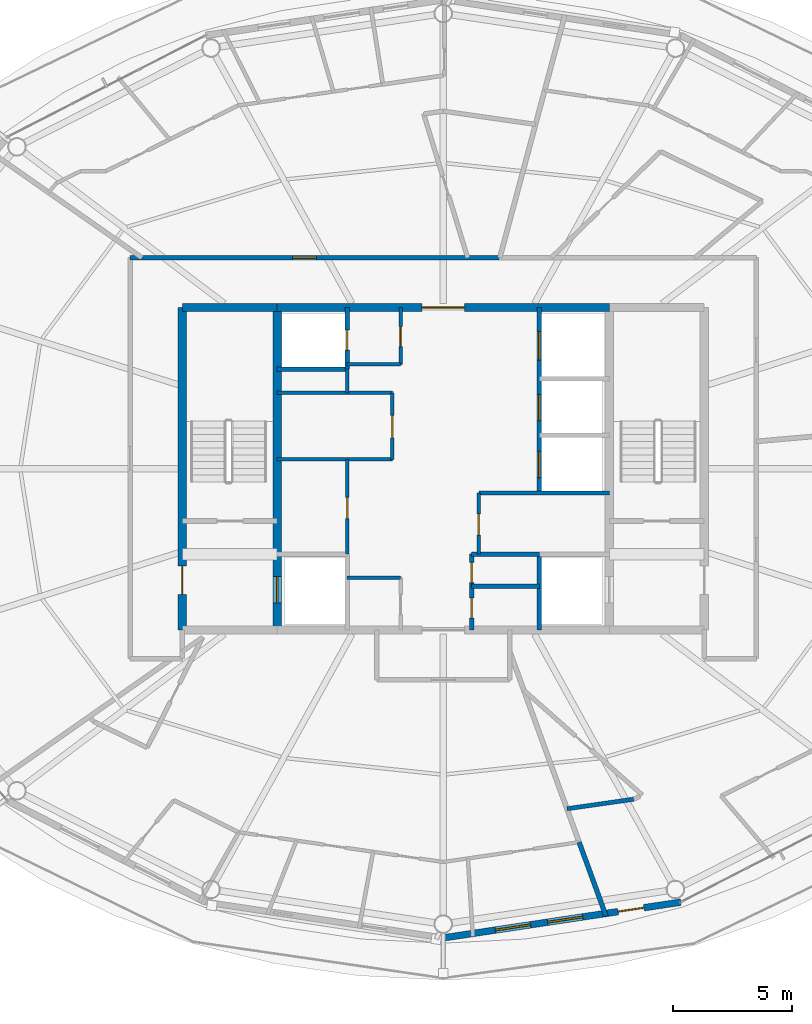
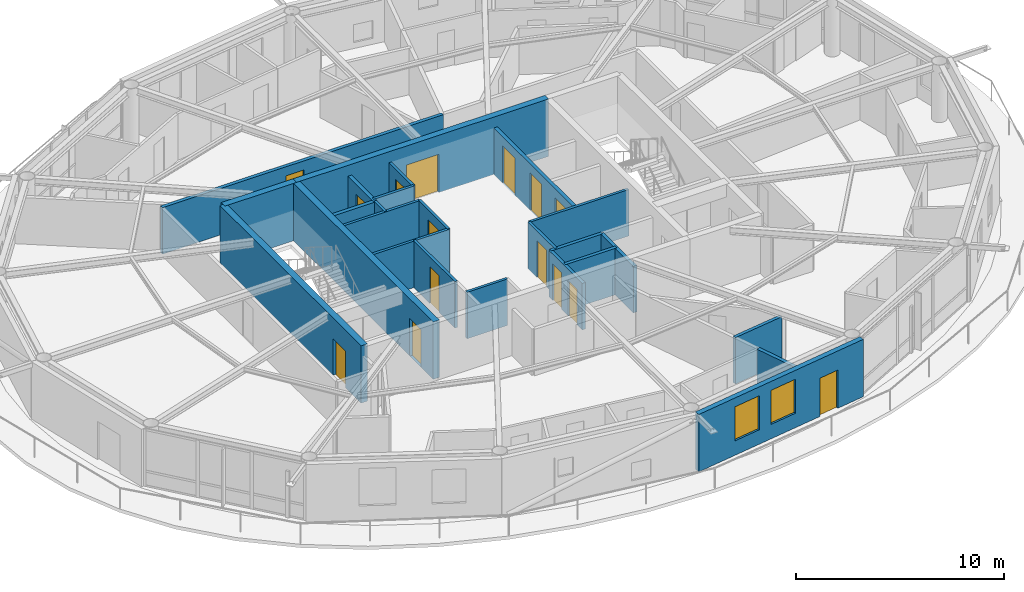
# One storey, part 17 of 23: 25 walls, 15 doors, 2 windows, 17 openings.
"""IFC4 building model written with IfcOpenShell, lengths in metres."""

from ifc_helpers import new_model, si_unit, direction, frame, frame_2d, origin, place, context, subcontext, project, spatial, rectangle, extrude, material, layer, layer_set, type_object, element, fill, save


model = new_model("IFC4")

# Units and contexts
model_context = context("Model", 3, precision=1e-05, world=origin(), true_north=direction((0.0, 1.0)))
body_context = subcontext(model_context, "Body", "Model", "MODEL_VIEW")
ifc_project = project(units=[si_unit("LENGTHUNIT", "METRE"), si_unit("AREAUNIT", "SQUARE_METRE"), si_unit("VOLUMEUNIT", "CUBIC_METRE"), si_unit("PLANEANGLEUNIT", "RADIAN"), si_unit("MASSUNIT", "GRAM", prefix="KILO")], contexts=[model_context])

# Site, building, storey
site_placement = place(None, origin())
site = spatial("IfcSite", under=ifc_project, at=site_placement, CompositionType="ELEMENT")
building_placement = place(site_placement, origin())
building = spatial("IfcBuilding", under=site, at=building_placement, Name="Sarneth Arch Tower", CompositionType="ELEMENT")
storey_placement = place(building_placement, frame((0.0, 0.0, 273.0)))
storey = spatial("IfcBuildingStorey", under=building, at=storey_placement, Name="L70", CompositionType="ELEMENT", Elevation=273.0)

# Wall
ifc_material_1 = material(Name="Concrete C50/60", Category="concrete")
ifc_layer_1 = layer(ifc_material_1, 0.35009765625)
ifc_layer_set_1 = layer_set([ifc_layer_1], Name="Concrete C50/60")
wall_type_1 = type_object("IfcWallType", Name="WALL-CORE-350", PredefinedType="SHEAR", material=ifc_layer_set_1)
wall_1_placement = place(storey_placement, frame((37.0, 48.800048828125, 0.0), z_axis=(0.0, 0.0, 1.0), x_axis=(1.0, 0.0, 0.0)))
element("IfcWall", 1, at=wall_1_placement, inside=storey, type_object=wall_type_1, Name="L70 Core shear wall N-W", PredefinedType="SHEAR", context=body_context, shape_type="SweptSolid", body=[
    extrude(rectangle(XDim=4.0, YDim=0.35009765625, at=frame_2d((2.0, 0.0))), origin(), (0.0, 0.0, 1.0), 3.3701171875),
])

# Wall, opening, door
wall_2_placement = place(storey_placement, frame((41.0, 48.800048828125, 0.0), z_axis=(0.0, 0.0, 1.0), x_axis=(1.0, 0.0, 0.0)))
wall_2 = element("IfcWall", 2, at=wall_2_placement, inside=storey, type_object=wall_type_1, Name="L70 Core shear wall N-M", PredefinedType="SHEAR", context=body_context, shape_type="SweptSolid", body=[
    extrude(rectangle(XDim=14.0, YDim=0.35009765625, at=frame_2d((7.0, 0.0))), origin(), (0.0, 0.0, 1.0), 3.3701171875),
])
opening_1_placement = place(wall_2_placement, frame((6.10009765625, 0.0, 0.0)))
opening_1 = element("IfcOpeningElement", 3, at=opening_1_placement, cuts=wall_2, Name="Opening FD-01", PredefinedType="OPENING", context=body_context, shape_type="SweptSolid", body=[
    extrude(rectangle(XDim=1.800048828125, YDim=2.25, at=frame_2d((0.89990234375, 1.125))), frame((0.0, 0.18505859375, 0.0), z_axis=(0.0, -1.0, 0.0), x_axis=(1.0, 0.0, 0.0)), (0.0, 0.0, 1.0), 0.3701171875),
])
ifc_material_2 = material(Name="Galvanised Steel S275 fire door set", Category="steel")
door_type_1 = type_object("IfcDoorType", Name="DR-FD90-1800", OperationType="DOUBLE_DOOR_SINGLE_SWING", PredefinedType="DOOR", material=ifc_material_2)
door_1_placement = place(opening_1_placement, origin())
door_1 = element("IfcDoor", 4, at=door_1_placement, inside=storey, type_object=door_type_1, Name="L70 Central lift lobby north door", OperationType="DOUBLE_DOOR_SINGLE_SWING", OverallHeight=2.25, OverallWidth=1.800048828125, PredefinedType="DOOR", context=body_context, shape_type="SweptSolid", body=[
    extrude(rectangle(XDim=1.800048828125, YDim=2.25, at=frame_2d((0.89990234375, 1.125))), frame((0.0, 0.02490234375, 0.0), z_axis=(0.0, -1.0, 0.0), x_axis=(1.0, 0.0, 0.0)), (0.0, 0.0, 1.0), 0.050048828125),
])
fill(opening_1, door_1)

wall_3_placement = place(storey_placement, frame((37.0, 35.199951171875, 0.0), z_axis=(0.0, 0.0, 1.0), x_axis=(0.0, 1.0, 0.0)))
wall_3 = element("IfcWall", 5, at=wall_3_placement, inside=storey, type_object=wall_type_1, Name="L70 Core shear wall W", PredefinedType="SHEAR", context=body_context, shape_type="SweptSolid", body=[
    extrude(rectangle(XDim=13.60009765625, YDim=0.35009765625, at=frame_2d((6.800048828125, 0.0))), origin(), (0.0, 0.0, 1.0), 3.3701171875),
])
opening_2_placement = place(wall_3_placement, frame((1.5, 0.0, 0.0)))
opening_2 = element("IfcOpeningElement", 6, at=opening_2_placement, cuts=wall_3, Name="Opening FD-02", PredefinedType="OPENING", context=body_context, shape_type="SweptSolid", body=[
    extrude(rectangle(XDim=1.199951171875, YDim=2.14990234375, at=frame_2d((0.60009765625, 1.074951171875))), frame((0.0, 0.18505859375, 0.0), z_axis=(0.0, -1.0, 0.0), x_axis=(1.0, 0.0, 0.0)), (0.0, 0.0, 1.0), 0.3701171875),
])
ifc_material_3 = material(Name="Galvanised Steel S275 fire door set", Category="steel")
door_type_2 = type_object("IfcDoorType", Name="DR-FD90-1200", OperationType="SINGLE_SWING_LEFT", PredefinedType="DOOR", material=ifc_material_3)
door_2_placement = place(opening_2_placement, origin())
door_2 = element("IfcDoor", 7, at=door_2_placement, inside=storey, type_object=door_type_2, Name="L70 Firefighting lobby 1 exit door", OperationType="SINGLE_SWING_LEFT", OverallHeight=2.14990234375, OverallWidth=1.199951171875, PredefinedType="DOOR", context=body_context, shape_type="SweptSolid", body=[
    extrude(rectangle(XDim=1.199951171875, YDim=2.14990234375, at=frame_2d((0.60009765625, 1.074951171875))), frame((0.0, 0.02490234375, 0.0), z_axis=(0.0, -1.0, 0.0), x_axis=(1.0, 0.0, 0.0)), (0.0, 0.0, 1.0), 0.050048828125),
])
fill(opening_2, door_2)

wall_4_placement = place(storey_placement, frame((41.0, 35.199951171875, 0.0), z_axis=(0.0, 0.0, 1.0), x_axis=(0.0, 1.0, 0.0)))
wall_4 = element("IfcWall", 8, at=wall_4_placement, inside=storey, type_object=wall_type_1, Name="L70 Core shear wall WEB-W", PredefinedType="SHEAR", context=body_context, shape_type="SweptSolid", body=[
    extrude(rectangle(XDim=13.60009765625, YDim=0.35009765625, at=frame_2d((6.800048828125, 0.0))), origin(), (0.0, 0.0, 1.0), 3.3701171875),
])
opening_3_placement = place(wall_4_placement, frame((1.14990234375, 0.0, 0.0)))
opening_3 = element("IfcOpeningElement", 9, at=opening_3_placement, cuts=wall_4, Name="Opening LD-1", PredefinedType="OPENING", context=body_context, shape_type="SweptSolid", body=[
    extrude(rectangle(XDim=1.10009765625, YDim=2.199951171875, at=frame_2d((0.550048828125, 1.10009765625))), frame((0.0, 0.18505859375, 0.0), z_axis=(0.0, -1.0, 0.0), x_axis=(1.0, 0.0, 0.0)), (0.0, 0.0, 1.0), 0.3701171875),
])
ifc_material_4 = material(Name="Brushed Stainless Steel 304 lift landing door", Category="steel")
door_type_3 = type_object("IfcDoorType", Name="DR-LIFT-SLIDE-1100", OperationType="SLIDING_TO_LEFT", PredefinedType="DOOR", material=ifc_material_4)
door_3_placement = place(opening_3_placement, origin())
door_3 = element("IfcDoor", 10, at=door_3_placement, inside=storey, type_object=door_type_3, Name="L70 Firefighting lift landing door FL-1", OperationType="SLIDING_TO_LEFT", OverallHeight=2.199951171875, OverallWidth=1.10009765625, PredefinedType="DOOR", context=body_context, shape_type="SweptSolid", body=[
    extrude(rectangle(XDim=1.10009765625, YDim=2.199951171875, at=frame_2d((0.550048828125, 1.10009765625))), frame((0.0, 0.02490234375, 0.0), z_axis=(0.0, -1.0, 0.0), x_axis=(1.0, 0.0, 0.0)), (0.0, 0.0, 1.0), 0.050048828125),
])
fill(opening_3, door_3)

ifc_material_5 = material(Name="Double steel-stud corridor fire wall", Category="steel")
ifc_layer_2 = layer(ifc_material_5, 0.18994140625)
ifc_layer_set_2 = layer_set([ifc_layer_2], Name="Double steel-stud corridor fire wall")
wall_type_2 = type_object("IfcWallType", Name="WALL-CORR-190", PredefinedType="PARTITIONING", material=ifc_layer_set_2)
wall_5_placement = place(storey_placement, frame((34.800048828125, 50.89990234375, 0.0), z_axis=(0.0, 0.0, 1.0), x_axis=(1.0, 0.0, 0.0)))
wall_5 = element("IfcWall", 11, at=wall_5_placement, inside=storey, type_object=wall_type_2, Name="L70 Interior partition W-L70-TP-005", PredefinedType="PARTITIONING", context=body_context, shape_type="SweptSolid", body=[
    extrude(rectangle(XDim=15.61767578125, YDim=0.18994140625, at=frame_2d((7.808837890625, 0.0))), origin(), (0.0, 0.0, 1.0), 2.72998046875),
])
opening_4_placement = place(wall_5_placement, frame((6.848388671875, 0.0, 0.0)))
opening_4 = element("IfcOpeningElement", 12, at=opening_4_placement, cuts=wall_5, Name="Opening FD-08", PredefinedType="OPENING", context=body_context, shape_type="SweptSolid", body=[
    extrude(rectangle(XDim=1.0, YDim=2.199951171875, at=frame_2d((0.5, 1.10009765625))), frame((0.0, 0.10498046875, 0.0), z_axis=(0.0, -1.0, 0.0), x_axis=(1.0, 0.0, 0.0)), (0.0, 0.0, 1.0), 0.2099609375),
])
ifc_material_6 = material(Name="Hardwood timber acoustic fire door", Category="wood")
door_type_4 = type_object("IfcDoorType", Name="DR-FD60-1000", OperationType="SINGLE_SWING_LEFT", PredefinedType="DOOR", material=ifc_material_6)
door_4_placement = place(opening_4_placement, origin())
door_4 = element("IfcDoor", 13, at=door_4_placement, inside=storey, type_object=door_type_4, Name="L70 Interior door DR-L70-U2-ENT", OperationType="SINGLE_SWING_LEFT", OverallHeight=2.199951171875, OverallWidth=1.0, PredefinedType="DOOR", context=body_context, shape_type="SweptSolid", body=[
    extrude(rectangle(XDim=1.0, YDim=2.199951171875, at=frame_2d((0.5, 1.10009765625))), frame((0.0, 0.02490234375, 0.0), z_axis=(0.0, -1.0, 0.0), x_axis=(1.0, 0.0, 0.0)), (0.0, 0.0, 1.0), 0.050048828125),
])
fill(opening_4, door_4)

# Wall, openings, door, windows
ifc_material_7 = material(Name="Extruded terracotta rainscreen on Concrete C40/50 backing", Category="masonry")
ifc_layer_3 = layer(ifc_material_7, 0.280029296875)
ifc_layer_set_3 = layer_set([ifc_layer_3], Name="Extruded terracotta rainscreen on Concrete C40/50 backing")
wall_type_3 = type_object("IfcWallType", Name="WALL-EXT-TERRA-280", PredefinedType="SOLIDWALL", material=ifc_layer_set_3)
wall_6_placement = place(storey_placement, frame((48.0, 22.219970703125, 0.0), z_axis=(0.0, 0.0, 1.0), x_axis=(0.988882522213, 0.148698881169, 0.0)))
wall_6 = element("IfcWall", 14, at=wall_6_placement, inside=storey, type_object=wall_type_3, Name="L70 Terracotta perimeter wall 13", PredefinedType="SOLIDWALL", context=body_context, shape_type="SweptSolid", body=[
    extrude(rectangle(XDim=10.125244140625, YDim=0.280029296875, at=frame_2d((5.0625, 0.0))), origin(), (0.0, 0.0, 1.0), 3.3701171875),
])
opening_5_placement = place(wall_6_placement, frame((2.2216796875, 0.0, 0.85009765625)))
opening_5 = element("IfcOpeningElement", 15, at=opening_5_placement, cuts=wall_6, Name="Opening W-06", PredefinedType="OPENING", context=body_context, shape_type="SweptSolid", body=[
    extrude(rectangle(XDim=1.5, YDim=2.0, at=frame_2d((0.75, 1.0))), frame((0.0, 0.14990234375, 0.0), z_axis=(0.0, -1.0, 0.0), x_axis=(1.0, 0.0, 0.0)), (0.0, 0.0, 1.0), 0.300048828125),
])
opening_6_placement = place(wall_6_placement, frame((4.448974609375, 0.0, 0.85009765625)))
opening_6 = element("IfcOpeningElement", 16, at=opening_6_placement, cuts=wall_6, Name="Opening W-06", PredefinedType="OPENING", context=body_context, shape_type="SweptSolid", body=[
    extrude(rectangle(XDim=1.5, YDim=2.0, at=frame_2d((0.75, 1.0))), frame((0.0, 0.14990234375, 0.0), z_axis=(0.0, -1.0, 0.0), x_axis=(1.0, 0.0, 0.0)), (0.0, 0.0, 1.0), 0.300048828125),
])
opening_7_placement = place(wall_6_placement, frame((7.45556640625, 0.0, 0.0)))
opening_7 = element("IfcOpeningElement", 17, at=opening_7_placement, cuts=wall_6, Name="Opening BD-3", PredefinedType="OPENING", context=body_context, shape_type="SweptSolid", body=[
    extrude(rectangle(XDim=1.10009765625, YDim=2.25, at=frame_2d((0.550048828125, 1.125))), frame((0.0, 0.14990234375, 0.0), z_axis=(0.0, -1.0, 0.0), x_axis=(1.0, 0.0, 0.0)), (0.0, 0.0, 1.0), 0.300048828125),
])
ifc_material_8 = material(Name="Thermally broken Aluminium 6063-T6 and laminated safety glass", Category="aluminium")
door_type_5 = type_object("IfcDoorType", Name="DR-BALC-GLZ-1100", OperationType="SINGLE_SWING_LEFT", PredefinedType="DOOR", material=ifc_material_8)
door_5_placement = place(opening_7_placement, origin())
door_5 = element("IfcDoor", 18, at=door_5_placement, inside=storey, type_object=door_type_5, Name="L70 Balcony glazed door 13", OperationType="SINGLE_SWING_LEFT", OverallHeight=2.25, OverallWidth=1.10009765625, PredefinedType="DOOR", context=body_context, shape_type="SweptSolid", body=[
    extrude(rectangle(XDim=1.10009765625, YDim=2.25, at=frame_2d((0.550048828125, 1.125))), frame((0.0, 0.02490234375, 0.0), z_axis=(0.0, -1.0, 0.0), x_axis=(1.0, 0.0, 0.0)), (0.0, 0.0, 1.0), 0.050048828125),
])
fill(opening_7, door_5)
ifc_material_9 = material(Name="Thermally broken Aluminium 6063-T6 and low-e laminated IGU", Category="aluminium")
window_type = type_object("IfcWindowType", Name="WIN-TWR-1500x2000", PartitioningType="SINGLE_PANEL", PredefinedType="WINDOW", material=ifc_material_9)
window_1_placement = place(opening_5_placement, origin())
window_1 = element("IfcWindow", 19, at=window_1_placement, inside=storey, type_object=window_type, Name="L70 Exterior window 13A", OverallHeight=2.0, OverallWidth=1.5, PartitioningType="SINGLE_PANEL", PredefinedType="WINDOW", context=body_context, shape_type="SweptSolid", body=[
    extrude(rectangle(XDim=1.5, YDim=2.0, at=frame_2d((0.75, 1.0))), frame((0.0, 0.030029296875, 0.0), z_axis=(0.0, -1.0, 0.0), x_axis=(1.0, 0.0, 0.0)), (0.0, 0.0, 1.0), 0.06005859375),
])
fill(opening_5, window_1)
window_2_placement = place(opening_6_placement, origin())
window_2 = element("IfcWindow", 20, at=window_2_placement, inside=storey, type_object=window_type, Name="L70 Exterior window 13B", OverallHeight=2.0, OverallWidth=1.5, PartitioningType="SINGLE_PANEL", PredefinedType="WINDOW", context=body_context, shape_type="SweptSolid", body=[
    extrude(rectangle(XDim=1.5, YDim=2.0, at=frame_2d((0.75, 1.0))), frame((0.0, 0.030029296875, 0.0), z_axis=(0.0, -1.0, 0.0), x_axis=(1.0, 0.0, 0.0)), (0.0, 0.0, 1.0), 0.06005859375),
])
fill(opening_6, window_2)

# Wall, opening, door
ifc_material_10 = material(Name="Acoustic gypsum stud partition", Category="gypsum")
ifc_layer_4 = layer(ifc_material_10, 0.14990234375)
ifc_layer_set_4 = layer_set([ifc_layer_4], Name="Acoustic gypsum stud partition")
wall_type_4 = type_object("IfcWallType", Name="WALL-PART-150", PredefinedType="PARTITIONING", material=ifc_layer_set_4)
wall_7_placement = place(storey_placement, frame((43.949951171875, 38.39990234375, 0.0), z_axis=(0.0, 0.0, 1.0), x_axis=(0.0, 1.0, 0.0)))
wall_7 = element("IfcWall", 21, at=wall_7_placement, inside=storey, type_object=wall_type_4, Name="L70 Interior partition W-L70-RECPL-E", PredefinedType="PARTITIONING", context=body_context, shape_type="SweptSolid", body=[
    extrude(rectangle(XDim=4.0, YDim=0.14990234375, at=frame_2d((2.0, 0.0))), origin(), (0.0, 0.0, 1.0), 2.72998046875),
])
opening_8_placement = place(wall_7_placement, frame((1.5, 0.0, 0.0)))
opening_8 = element("IfcOpeningElement", 22, at=opening_8_placement, cuts=wall_7, Name="Opening FD-10", PredefinedType="OPENING", context=body_context, shape_type="SweptSolid", body=[
    extrude(rectangle(XDim=0.89990234375, YDim=2.14990234375, at=frame_2d((0.449951171875, 1.074951171875))), frame((0.0, 0.0849609375, 0.0), z_axis=(0.0, -1.0, 0.0), x_axis=(1.0, 0.0, 0.0)), (0.0, 0.0, 1.0), 0.169921875),
])
ifc_material_11 = material(Name="Galvanised Steel S275 riser/service fire door", Category="steel")
door_type_6 = type_object("IfcDoorType", Name="DR-FD60-900", OperationType="SINGLE_SWING_LEFT", PredefinedType="DOOR", material=ifc_material_11)
door_6_placement = place(opening_8_placement, origin())
door_6 = element("IfcDoor", 23, at=door_6_placement, inside=storey, type_object=door_type_6, Name="L70 Interior door DR-L70-RECPL", OperationType="SINGLE_SWING_LEFT", OverallHeight=2.14990234375, OverallWidth=0.89990234375, PredefinedType="DOOR", context=body_context, shape_type="SweptSolid", body=[
    extrude(rectangle(XDim=0.89990234375, YDim=2.14990234375, at=frame_2d((0.449951171875, 1.074951171875))), frame((0.0, 0.02490234375, 0.0), z_axis=(0.0, -1.0, 0.0), x_axis=(1.0, 0.0, 0.0)), (0.0, 0.0, 1.0), 0.050048828125),
])
fill(opening_8, door_6)

# Walls
for number, where, z_axis, x_axis, name in (
    (24, (41.0, 42.39990234375, 0.0), (0.0, 0.0, 1.0), (1.0, 0.0, 0.0), "L70 Interior partition W-L70-RECPM1-S"),
    (25, (41.0, 45.199951171875, 0.0), (0.0, 0.0, 1.0), (1.0, 0.0, 0.0), "L70 Interior partition W-L70-RECPM1-N"),
):
    element("IfcWall", number, at=place(storey_placement, frame(where, z_axis=z_axis, x_axis=x_axis)), inside=storey, type_object=wall_type_4, Name=name, PredefinedType="PARTITIONING", context=body_context, shape_type="SweptSolid", body=[
        extrude(rectangle(XDim=4.85009765625, YDim=0.14990234375, at=frame_2d((2.425048828125, 0.0))), origin(), (0.0, 0.0, 1.0), 2.72998046875),
    ])
wall_8_placement = place(storey_placement, frame((43.949951171875, 45.199951171875, 0.0), z_axis=(0.0, 0.0, 1.0), x_axis=(0.0, 1.0, 0.0)))
element("IfcWall", 26, at=wall_8_placement, inside=storey, type_object=wall_type_4, Name="L70 Interior partition W-L70-RECPM1-W2", PredefinedType="PARTITIONING", context=body_context, shape_type="SweptSolid", body=[
    extrude(rectangle(XDim=1.0, YDim=0.14990234375, at=frame_2d((0.5, 0.0))), origin(), (0.0, 0.0, 1.0), 2.72998046875),
])

# Wall, opening, door
wall_9_placement = place(storey_placement, frame((45.85009765625, 42.39990234375, 0.0), z_axis=(0.0, 0.0, 1.0), x_axis=(0.0, 1.0, 0.0)))
wall_9 = element("IfcWall", 27, at=wall_9_placement, inside=storey, type_object=wall_type_4, Name="L70 Interior partition W-L70-RECPM1-E", PredefinedType="PARTITIONING", context=body_context, shape_type="SweptSolid", body=[
    extrude(rectangle(XDim=2.800048828125, YDim=0.14990234375, at=frame_2d((1.39990234375, 0.0))), origin(), (0.0, 0.0, 1.0), 2.72998046875),
])
opening_9_placement = place(wall_9_placement, frame((0.89990234375, 0.0, 0.0)))
opening_9 = element("IfcOpeningElement", 28, at=opening_9_placement, cuts=wall_9, Name="Opening FD-09", PredefinedType="OPENING", context=body_context, shape_type="SweptSolid", body=[
    extrude(rectangle(XDim=0.949951171875, YDim=2.14990234375, at=frame_2d((0.47509765625, 1.074951171875))), frame((0.0, 0.0849609375, 0.0), z_axis=(0.0, -1.0, 0.0), x_axis=(1.0, 0.0, 0.0)), (0.0, 0.0, 1.0), 0.169921875),
])
ifc_material_12 = material(Name="Hardwood timber hotel entrance fire door", Category="wood")
door_type_7 = type_object("IfcDoorType", Name="DR-FD60-950", OperationType="SINGLE_SWING_RIGHT", PredefinedType="DOOR", material=ifc_material_12)
door_7_placement = place(opening_9_placement, origin())
door_7 = element("IfcDoor", 29, at=door_7_placement, inside=storey, type_object=door_type_7, Name="L70 Interior door DR-L70-RECPM1", OperationType="SINGLE_SWING_RIGHT", OverallHeight=2.14990234375, OverallWidth=0.949951171875, PredefinedType="DOOR", context=body_context, shape_type="SweptSolid", body=[
    extrude(rectangle(XDim=0.949951171875, YDim=2.14990234375, at=frame_2d((0.47509765625, 1.074951171875))), frame((0.0, 0.02490234375, 0.0), z_axis=(0.0, -1.0, 0.0), x_axis=(1.0, 0.0, 0.0)), (0.0, 0.0, 1.0), 0.050048828125),
])
fill(opening_9, door_7)

# Wall
wall_10_placement = place(storey_placement, frame((49.5, 40.97998046875, 0.0), z_axis=(0.0, 0.0, 1.0), x_axis=(1.0, 0.0, 0.0)))
element("IfcWall", 30, at=wall_10_placement, inside=storey, type_object=wall_type_4, Name="L70 Interior partition W-L70-RECPM2-N", PredefinedType="PARTITIONING", context=body_context, shape_type="SweptSolid", body=[
    extrude(rectangle(XDim=5.5, YDim=0.14990234375, at=frame_2d((2.75, 0.0))), origin(), (0.0, 0.0, 1.0), 2.72998046875),
])

# Wall, opening, door
wall_11_placement = place(storey_placement, frame((49.5, 38.39990234375, 0.0), z_axis=(0.0, 0.0, 1.0), x_axis=(0.0, 1.0, 0.0)))
wall_11 = element("IfcWall", 31, at=wall_11_placement, inside=storey, type_object=wall_type_4, Name="L70 Interior partition W-L70-RECPM2-W", PredefinedType="PARTITIONING", context=body_context, shape_type="SweptSolid", body=[
    extrude(rectangle(XDim=2.580078125, YDim=0.14990234375, at=frame_2d((1.2900390625, 0.0))), origin(), (0.0, 0.0, 1.0), 2.72998046875),
])
opening_10_placement = place(wall_11_placement, frame((0.800048828125, 0.0, 0.0)))
opening_10 = element("IfcOpeningElement", 32, at=opening_10_placement, cuts=wall_11, Name="Opening FD-10", PredefinedType="OPENING", context=body_context, shape_type="SweptSolid", body=[
    extrude(rectangle(XDim=0.89990234375, YDim=2.14990234375, at=frame_2d((0.449951171875, 1.074951171875))), frame((0.0, 0.0849609375, 0.0), z_axis=(0.0, -1.0, 0.0), x_axis=(1.0, 0.0, 0.0)), (0.0, 0.0, 1.0), 0.169921875),
])
door_8_placement = place(opening_10_placement, origin())
door_8 = element("IfcDoor", 33, at=door_8_placement, inside=storey, type_object=door_type_6, Name="L70 Interior door DR-L70-RECPM2", OperationType="SINGLE_SWING_LEFT", OverallHeight=2.14990234375, OverallWidth=0.89990234375, PredefinedType="DOOR", context=body_context, shape_type="SweptSolid", body=[
    extrude(rectangle(XDim=0.89990234375, YDim=2.14990234375, at=frame_2d((0.449951171875, 1.074951171875))), frame((0.0, 0.02490234375, 0.0), z_axis=(0.0, -1.0, 0.0), x_axis=(1.0, 0.0, 0.0)), (0.0, 0.0, 1.0), 0.050048828125),
])
fill(opening_10, door_8)

# Walls
for number, where, z_axis, x_axis, name in (
    (34, (43.949951171875, 37.39990234375, 0.0), (0.0, 0.0, 1.0), (1.0, 0.0, 0.0), "L70 Interior partition W-L70-CSUP1-N"),
    (35, (43.949951171875, 46.39990234375, 0.0), (0.0, 0.0, 1.0), (1.0, 0.0, 0.0), "L70 Interior partition W-L70-CSUP2-S"),
):
    element("IfcWall", number, at=place(storey_placement, frame(where, z_axis=z_axis, x_axis=x_axis)), inside=storey, type_object=wall_type_4, Name=name, PredefinedType="PARTITIONING", context=body_context, shape_type="SweptSolid", body=[
        extrude(rectangle(XDim=2.25, YDim=0.14990234375, at=frame_2d((1.125, 0.0))), origin(), (0.0, 0.0, 1.0), 2.72998046875),
    ])

# Wall, opening, door
wall_12_placement = place(storey_placement, frame((46.199951171875, 46.39990234375, 0.0), z_axis=(0.0, 0.0, 1.0), x_axis=(0.0, 1.0, 0.0)))
wall_12 = element("IfcWall", 36, at=wall_12_placement, inside=storey, type_object=wall_type_4, Name="L70 Interior partition W-L70-CSUP2-E", PredefinedType="PARTITIONING", context=body_context, shape_type="SweptSolid", body=[
    extrude(rectangle(XDim=2.400146484375, YDim=0.14990234375, at=frame_2d((1.2001953125, 0.0))), origin(), (0.0, 0.0, 1.0), 2.72998046875),
])
opening_11_placement = place(wall_12_placement, frame((0.75, 0.0, 0.0)))
opening_11 = element("IfcOpeningElement", 37, at=opening_11_placement, cuts=wall_12, Name="Opening FD-11", PredefinedType="OPENING", context=body_context, shape_type="SweptSolid", body=[
    extrude(rectangle(XDim=0.85009765625, YDim=2.14990234375, at=frame_2d((0.425048828125, 1.074951171875))), frame((0.0, 0.0849609375, 0.0), z_axis=(0.0, -1.0, 0.0), x_axis=(1.0, 0.0, 0.0)), (0.0, 0.0, 1.0), 0.169921875),
])
ifc_material_13 = material(Name="Galvanised Steel S275 closet fire door", Category="steel")
door_type_8 = type_object("IfcDoorType", Name="DR-FD60-850", OperationType="SINGLE_SWING_LEFT", PredefinedType="DOOR", material=ifc_material_13)
door_9_placement = place(opening_11_placement, origin())
door_9 = element("IfcDoor", 38, at=door_9_placement, inside=storey, type_object=door_type_8, Name="L70 Interior door DR-L70-CSUP2", OperationType="SINGLE_SWING_RIGHT", OverallHeight=2.14990234375, OverallWidth=0.85009765625, PredefinedType="DOOR", context=body_context, shape_type="SweptSolid", body=[
    extrude(rectangle(XDim=0.85009765625, YDim=2.14990234375, at=frame_2d((0.425048828125, 1.074951171875))), frame((0.0, 0.02490234375, 0.0), z_axis=(0.0, -1.0, 0.0), x_axis=(1.0, 0.0, 0.0)), (0.0, 0.0, 1.0), 0.050048828125),
])
fill(opening_11, door_9)

# Walls
ifc_material_14 = material(Name="Moisture-resistant plumbing chase wall", Category="gypsum")
ifc_layer_5 = layer(ifc_material_14, 0.179931640625)
ifc_layer_set_5 = layer_set([ifc_layer_5], Name="Moisture-resistant plumbing chase wall")
wall_type_5 = type_object("IfcWallType", Name="WALL-PLUMB-180", PredefinedType="PLUMBINGWALL", material=ifc_layer_set_5)
for number, where, z_axis, x_axis, name in (
    (39, (49.199951171875, 37.050048828125, 0.0), (0.0, 0.0, 1.0), (1.0, 0.0, 0.0), "L70 Interior partition W-L70-AWC-M"),
    (40, (49.199951171875, 38.39990234375, 0.0), (0.0, 0.0, 1.0), (1.0, 0.0, 0.0), "L70 Interior partition W-L70-AWC-N"),
):
    element("IfcWall", number, at=place(storey_placement, frame(where, z_axis=z_axis, x_axis=x_axis)), inside=storey, type_object=wall_type_5, Name=name, PredefinedType="PLUMBINGWALL", context=body_context, shape_type="SweptSolid", body=[
        extrude(rectangle(XDim=2.85009765625, YDim=0.179931640625, at=frame_2d((1.425048828125, 0.0))), origin(), (0.0, 0.0, 1.0), 2.72998046875),
    ])

# Wall, openings, doors
wall_13_placement = place(storey_placement, frame((49.199951171875, 35.199951171875, 0.0), z_axis=(0.0, 0.0, 1.0), x_axis=(0.0, 1.0, 0.0)))
wall_13 = element("IfcWall", 41, at=wall_13_placement, inside=storey, type_object=wall_type_5, Name="L70 Interior partition W-L70-AWC-W", PredefinedType="PLUMBINGWALL", context=body_context, shape_type="SweptSolid", body=[
    extrude(rectangle(XDim=3.199951171875, YDim=0.179931640625, at=frame_2d((1.60009765625, 0.0))), origin(), (0.0, 0.0, 1.0), 2.72998046875),
])
opening_12_placement = place(wall_13_placement, frame((0.5, 0.0, 0.0)))
opening_12 = element("IfcOpeningElement", 42, at=opening_12_placement, cuts=wall_13, Name="Opening ID-02", PredefinedType="OPENING", context=body_context, shape_type="SweptSolid", body=[
    extrude(rectangle(XDim=0.85009765625, YDim=2.10009765625, at=frame_2d((0.425048828125, 1.050048828125))), frame((0.0, 0.099853515625, 0.0), z_axis=(0.0, -1.0, 0.0), x_axis=(1.0, 0.0, 0.0)), (0.0, 0.0, 1.0), 0.199951171875),
])
opening_13_placement = place(wall_13_placement, frame((2.0, 0.0, 0.0)))
opening_13 = element("IfcOpeningElement", 43, at=opening_13_placement, cuts=wall_13, Name="Opening FD-11", PredefinedType="OPENING", context=body_context, shape_type="SweptSolid", body=[
    extrude(rectangle(XDim=0.85009765625, YDim=2.14990234375, at=frame_2d((0.425048828125, 1.074951171875))), frame((0.0, 0.099853515625, 0.0), z_axis=(0.0, -1.0, 0.0), x_axis=(1.0, 0.0, 0.0)), (0.0, 0.0, 1.0), 0.199951171875),
])
door_10_placement = place(opening_13_placement, origin())
door_10 = element("IfcDoor", 44, at=door_10_placement, inside=storey, type_object=door_type_8, Name="L70 Interior door DR-L70-CSUP3", OperationType="SINGLE_SWING_LEFT", OverallHeight=2.14990234375, OverallWidth=0.85009765625, PredefinedType="DOOR", context=body_context, shape_type="SweptSolid", body=[
    extrude(rectangle(XDim=0.85009765625, YDim=2.14990234375, at=frame_2d((0.425048828125, 1.074951171875))), frame((0.0, 0.02490234375, 0.0), z_axis=(0.0, -1.0, 0.0), x_axis=(1.0, 0.0, 0.0)), (0.0, 0.0, 1.0), 0.050048828125),
])
fill(opening_13, door_10)
ifc_material_15 = material(Name="Moisture-resistant bathroom timber door", Category="wood")
door_type_9 = type_object("IfcDoorType", Name="DR-INT-850", OperationType="SINGLE_SWING_RIGHT", PredefinedType="DOOR", material=ifc_material_15)
door_11_placement = place(opening_12_placement, origin())
door_11 = element("IfcDoor", 45, at=door_11_placement, inside=storey, type_object=door_type_9, Name="L70 Interior door DR-L70-AWC", OperationType="SINGLE_SWING_RIGHT", OverallHeight=2.10009765625, OverallWidth=0.85009765625, PredefinedType="DOOR", context=body_context, shape_type="SweptSolid", body=[
    extrude(rectangle(XDim=0.85009765625, YDim=2.10009765625, at=frame_2d((0.425048828125, 1.050048828125))), frame((0.0, 0.02490234375, 0.0), z_axis=(0.0, -1.0, 0.0), x_axis=(1.0, 0.0, 0.0)), (0.0, 0.0, 1.0), 0.050048828125),
])
fill(opening_12, door_11)

# Walls
wall_14_placement = place(storey_placement, frame((53.217041015625, 27.666259765625, 0.0), z_axis=(0.0, 0.0, 1.0), x_axis=(0.989918473044, 0.141638330709, 0.0)))
element("IfcWall", 46, at=wall_14_placement, inside=storey, type_object=wall_type_5, Name="L70 Interior partition W-L70-TP-083", PredefinedType="PLUMBINGWALL", context=body_context, shape_type="SweptSolid", body=[
    extrude(rectangle(XDim=2.83544921875, YDim=0.179931640625, at=frame_2d((1.417724609375, 0.0))), origin(), (0.0, 0.0, 1.0), 2.72998046875),
])
ifc_material_16 = material(Name="Aerated concrete blockwork C25/30", Category="masonry")
ifc_layer_6 = layer(ifc_material_16, 0.199951171875)
ifc_layer_set_6 = layer_set([ifc_layer_6], Name="Aerated concrete blockwork C25/30")
wall_type_6 = type_object("IfcWallType", Name="WALL-SHAFT-200", PredefinedType="SOLIDWALL", material=ifc_layer_set_6)
wall_15_placement = place(storey_placement, frame((52.050048828125, 35.199951171875, 0.0), z_axis=(0.0, 0.0, 1.0), x_axis=(0.0, 1.0, 0.0)))
element("IfcWall", 47, at=wall_15_placement, inside=storey, type_object=wall_type_6, Name="L70 Interior partition W-L70-FL2-W", PredefinedType="SOLIDWALL", context=body_context, shape_type="SweptSolid", body=[
    extrude(rectangle(XDim=3.199951171875, YDim=0.199951171875, at=frame_2d((1.60009765625, 0.0))), origin(), (0.0, 0.0, 1.0), 2.72998046875),
])
wall_16_placement = place(storey_placement, frame((41.0, 46.199951171875, 0.0), z_axis=(0.0, 0.0, 1.0), x_axis=(1.0, 0.0, 0.0)))
element("IfcWall", 48, at=wall_16_placement, inside=storey, type_object=wall_type_6, Name="L70 Interior partition W-L70-RISER-S", PredefinedType="SOLIDWALL", context=body_context, shape_type="SweptSolid", body=[
    extrude(rectangle(XDim=2.949951171875, YDim=0.199951171875, at=frame_2d((1.47509765625, 0.0))), origin(), (0.0, 0.0, 1.0), 2.72998046875),
])

# Wall, opening, door
wall_17_placement = place(storey_placement, frame((43.949951171875, 46.199951171875, 0.0), z_axis=(0.0, 0.0, 1.0), x_axis=(0.0, 1.0, 0.0)))
wall_17 = element("IfcWall", 49, at=wall_17_placement, inside=storey, type_object=wall_type_6, Name="L70 Interior partition W-L70-RISER-E", PredefinedType="SOLIDWALL", context=body_context, shape_type="SweptSolid", body=[
    extrude(rectangle(XDim=2.60009765625, YDim=0.199951171875, at=frame_2d((1.300048828125, 0.0))), origin(), (0.0, 0.0, 1.0), 2.72998046875),
])
opening_14_placement = place(wall_17_placement, frame((0.800048828125, 0.0, 0.0)))
opening_14 = element("IfcOpeningElement", 50, at=opening_14_placement, cuts=wall_17, Name="Opening FD-11", PredefinedType="OPENING", context=body_context, shape_type="SweptSolid", body=[
    extrude(rectangle(XDim=0.85009765625, YDim=2.14990234375, at=frame_2d((0.425048828125, 1.074951171875))), frame((0.0, 0.10986328125, 0.0), z_axis=(0.0, -1.0, 0.0), x_axis=(1.0, 0.0, 0.0)), (0.0, 0.0, 1.0), 0.219970703125),
])
door_12_placement = place(opening_14_placement, origin())
door_12 = element("IfcDoor", 51, at=door_12_placement, inside=storey, type_object=door_type_8, Name="L70 Lift landing door DR-L70-RISER", OperationType="SINGLE_SWING_LEFT", OverallHeight=2.14990234375, OverallWidth=0.85009765625, PredefinedType="DOOR", context=body_context, shape_type="SweptSolid", body=[
    extrude(rectangle(XDim=0.85009765625, YDim=2.14990234375, at=frame_2d((0.425048828125, 1.074951171875))), frame((0.0, 0.02490234375, 0.0), z_axis=(0.0, -1.0, 0.0), x_axis=(1.0, 0.0, 0.0)), (0.0, 0.0, 1.0), 0.050048828125),
])
fill(opening_14, door_12)

# Wall, openings, doors
wall_18_placement = place(storey_placement, frame((52.050048828125, 40.97998046875, 0.0), z_axis=(0.0, 0.0, 1.0), x_axis=(0.0, 1.0, 0.0)))
wall_18 = element("IfcWall", 52, at=wall_18_placement, inside=storey, type_object=wall_type_6, Name="L70 Interior partition W-L70-EASTBANK-UPPER", PredefinedType="SOLIDWALL", context=body_context, shape_type="SweptSolid", body=[
    extrude(rectangle(XDim=7.820068359375, YDim=0.199951171875, at=frame_2d((3.91015625, 0.0))), origin(), (0.0, 0.0, 1.0), 2.72998046875),
])
opening_15_placement = place(wall_18_placement, frame((0.64990234375, 0.0, 0.0)))
opening_15 = element("IfcOpeningElement", 53, at=opening_15_placement, cuts=wall_18, Name="Opening LD-1", PredefinedType="OPENING", context=body_context, shape_type="SweptSolid", body=[
    extrude(rectangle(XDim=1.10009765625, YDim=2.199951171875, at=frame_2d((0.550048828125, 1.10009765625))), frame((0.0, 0.10986328125, 0.0), z_axis=(0.0, -1.0, 0.0), x_axis=(1.0, 0.0, 0.0)), (0.0, 0.0, 1.0), 0.219970703125),
])
opening_16_placement = place(wall_18_placement, frame((3.050048828125, 0.0, 0.0)))
opening_16 = element("IfcOpeningElement", 54, at=opening_16_placement, cuts=wall_18, Name="Opening LD-1", PredefinedType="OPENING", context=body_context, shape_type="SweptSolid", body=[
    extrude(rectangle(XDim=1.10009765625, YDim=2.199951171875, at=frame_2d((0.550048828125, 1.10009765625))), frame((0.0, 0.10986328125, 0.0), z_axis=(0.0, -1.0, 0.0), x_axis=(1.0, 0.0, 0.0)), (0.0, 0.0, 1.0), 0.219970703125),
])
opening_17_placement = place(wall_18_placement, frame((5.60009765625, 0.0, 0.0)))
opening_17 = element("IfcOpeningElement", 55, at=opening_17_placement, cuts=wall_18, Name="Opening LD-2", PredefinedType="OPENING", context=body_context, shape_type="SweptSolid", body=[
    extrude(rectangle(XDim=1.199951171875, YDim=2.199951171875, at=frame_2d((0.60009765625, 1.10009765625))), frame((0.0, 0.10986328125, 0.0), z_axis=(0.0, -1.0, 0.0), x_axis=(1.0, 0.0, 0.0)), (0.0, 0.0, 1.0), 0.219970703125),
])
door_13_placement = place(opening_15_placement, origin())
door_13 = element("IfcDoor", 56, at=door_13_placement, inside=storey, type_object=door_type_3, Name="L70 Lift landing door DR-L70-LD-PH1", OperationType="SLIDING_TO_RIGHT", OverallHeight=2.199951171875, OverallWidth=1.10009765625, PredefinedType="DOOR", context=body_context, shape_type="SweptSolid", body=[
    extrude(rectangle(XDim=1.10009765625, YDim=2.199951171875, at=frame_2d((0.550048828125, 1.10009765625))), frame((0.0, 0.02490234375, 0.0), z_axis=(0.0, -1.0, 0.0), x_axis=(1.0, 0.0, 0.0)), (0.0, 0.0, 1.0), 0.050048828125),
])
fill(opening_15, door_13)
door_14_placement = place(opening_16_placement, origin())
door_14 = element("IfcDoor", 57, at=door_14_placement, inside=storey, type_object=door_type_3, Name="L70 Lift landing door DR-L70-LD-PH2", OperationType="SLIDING_TO_LEFT", OverallHeight=2.199951171875, OverallWidth=1.10009765625, PredefinedType="DOOR", context=body_context, shape_type="SweptSolid", body=[
    extrude(rectangle(XDim=1.10009765625, YDim=2.199951171875, at=frame_2d((0.550048828125, 1.10009765625))), frame((0.0, 0.02490234375, 0.0), z_axis=(0.0, -1.0, 0.0), x_axis=(1.0, 0.0, 0.0)), (0.0, 0.0, 1.0), 0.050048828125),
])
fill(opening_16, door_14)
ifc_material_17 = material(Name="Brushed Stainless Steel 304 service lift door", Category="steel")
door_type_10 = type_object("IfcDoorType", Name="DR-LIFT-SLIDE-1200", OperationType="SLIDING_TO_RIGHT", PredefinedType="DOOR", material=ifc_material_17)
door_15_placement = place(opening_17_placement, origin())
door_15 = element("IfcDoor", 58, at=door_15_placement, inside=storey, type_object=door_type_10, Name="L70 Lift landing door DR-L70-LD-SL1", OperationType="SLIDING_TO_RIGHT", OverallHeight=2.199951171875, OverallWidth=1.199951171875, PredefinedType="DOOR", context=body_context, shape_type="SweptSolid", body=[
    extrude(rectangle(XDim=1.199951171875, YDim=2.199951171875, at=frame_2d((0.60009765625, 1.10009765625))), frame((0.0, 0.02490234375, 0.0), z_axis=(0.0, -1.0, 0.0), x_axis=(1.0, 0.0, 0.0)), (0.0, 0.0, 1.0), 0.050048828125),
])
fill(opening_17, door_15)

# Wall
ifc_material_18 = material(Name="Double steel-stud acoustic drywall", Category="steel")
ifc_layer_7 = layer(ifc_material_18, 0.199951171875)
ifc_layer_set_7 = layer_set([ifc_layer_7], Name="Double steel-stud acoustic drywall")
wall_type_7 = type_object("IfcWallType", Name="WALL-UNIT-200", PredefinedType="PARTITIONING", material=ifc_layer_set_7)
wall_19_placement = place(storey_placement, frame((53.73046875, 26.255615234375, 0.0), z_axis=(0.0, 0.0, 1.0), x_axis=(0.341990855898, -0.939703280021, 0.0)))
element("IfcWall", 59, at=wall_19_placement, inside=storey, type_object=wall_type_7, Name="L70 Interior partition W-L70-TP-080", PredefinedType="PARTITIONING", context=body_context, shape_type="SweptSolid", body=[
    extrude(rectangle(XDim=3.322509765625, YDim=0.199951171875, at=frame_2d((1.6611328125, 0.0))), origin(), (0.0, 0.0, 1.0), 2.72998046875),
])

save(model, "model.ifc")
